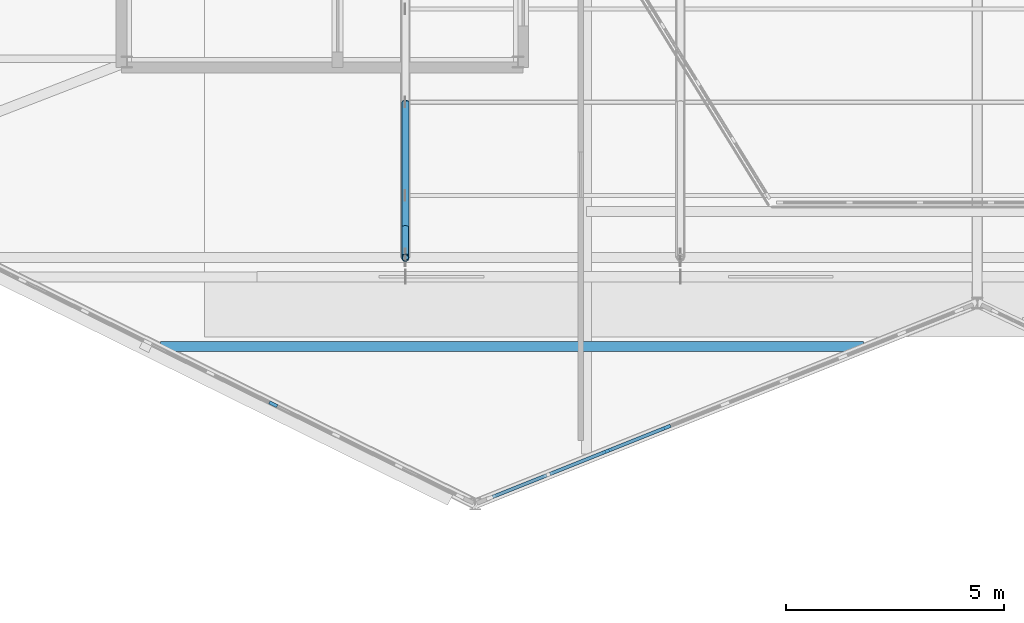
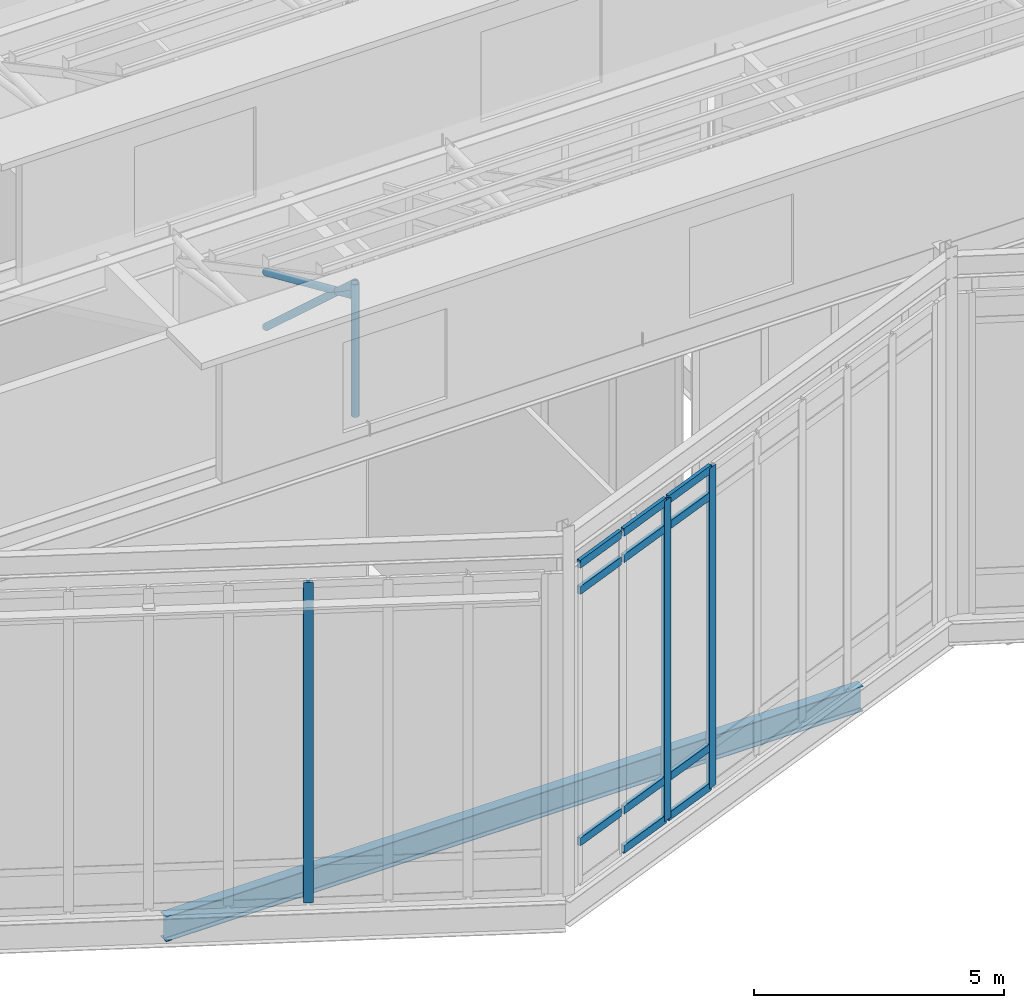
# One storey, part 11 of 66: 17 members, 1 beam, 2 elements without a shape of their own.
"""IFC4 building model written with IfcOpenShell, lengths in metres."""

from ifc_helpers import new_model, si_unit, direction, frame, origin, origin_2d, place, context, subcontext, project, spatial, rectangle, hollow_circle, i_section, extrude, material, material_profile, profile_set, type_object, element, aggregate, save


model = new_model("IFC4")

# Units and contexts
model_context = context("Model", 3, precision=1e-05, world=origin(), true_north=direction((0.0, 1.0)))
body_context = subcontext(model_context, "Body", "Model", "MODEL_VIEW")
ifc_project = project(units=[si_unit("LENGTHUNIT", "METRE"), si_unit("AREAUNIT", "SQUARE_METRE"), si_unit("VOLUMEUNIT", "CUBIC_METRE"), si_unit("PLANEANGLEUNIT", "RADIAN"), si_unit("MASSUNIT", "GRAM", prefix="KILO")], contexts=[model_context])

# Site, building, storey
site_placement = place(None, origin())
site = spatial("IfcSite", under=ifc_project, at=site_placement, CompositionType="ELEMENT")
building_placement = place(site_placement, origin())
building = spatial("IfcBuilding", under=site, at=building_placement, Name="Tameran Prism Museum", CompositionType="ELEMENT")
storey_placement = place(building_placement, frame((0.0, 0.0, 19.800048828125)))
storey = spatial("IfcBuildingStorey", under=building, at=storey_placement, Name="L04", CompositionType="ELEMENT", Elevation=19.800048828125)

# Beam
ifc_material_1 = material(Name="Steel Grade 300PLUS (300 MPa)", Category="steel")
ifc_material_profile_1 = material_profile(ifc_material_1, i_section(OverallWidth=0.22802734375, OverallDepth=0.60693359375, WebThickness=0.01123046875, FlangeThickness=0.017333984375, FilletRadius=0.013916015625, at=origin_2d()))
ifc_profile_set_1 = profile_set([ifc_material_profile_1])
beam_type = type_object("IfcBeamType", Name="BM-UB610B", PredefinedType="BEAM", material=ifc_profile_set_1)
beam_placement = place(storey_placement, frame((58.79296875, 26.39990234375, -0.503662109375), z_axis=(1.0, 0.0, 0.0), x_axis=(0.0, 1.0, 0.0)))
element("IfcBeam", 1, at=beam_placement, inside=storey, type_object=beam_type, Name="Floor Beam BM-1229", PredefinedType="BEAM", context=body_context, shape_type="SweptSolid", body=[
    extrude(i_section(OverallWidth=0.22802734375, OverallDepth=0.60693359375, WebThickness=0.01123046875, FlangeThickness=0.017333984375, FilletRadius=0.013916015625, at=origin_2d()), origin(), (0.0, 0.0, 1.0), 16.09912109375),
])

# Curtain wall, member
ifc_material_2 = material(Name="Anodised Aluminium 6063-T6 and Cyclone Solar Glass", Category="aluminium")
curtain_wall_type_1 = type_object("IfcCurtainWallType", Name="CW-FAC-1603x782", PredefinedType="USERDEFINED", material=ifc_material_2)
curtain_wall_1_placement = place(storey_placement, origin())
curtain_wall_1 = element("IfcCurtainWall", 2, at=curtain_wall_1_placement, inside=storey, type_object=curtain_wall_type_1, Name="Unitised Curtain Wall CW-157", ObjectType="UNITISED CURTAIN WALL", PredefinedType="USERDEFINED")
ifc_material_3 = material(Name="Anodised Aluminium Alloy 6063-T6", Category="aluminium")
ifc_material_profile_2 = material_profile(ifc_material_3, rectangle(XDim=0.074951171875, YDim=0.199951171875, at=origin_2d()))
ifc_profile_set_2 = profile_set([ifc_material_profile_2])
member_type_1 = type_object("IfcMemberType", Name="CW-MUL-C", PredefinedType="MULLION", material=ifc_profile_set_2)
member_1_placement = place(storey_placement, frame((61.37451171875, 25.08203125, 0.0), z_axis=(0.0, 0.0, 1.0), x_axis=(-0.44241486846, -0.896810506275, 0.0)))
member_1 = element("IfcMember", 3, at=member_1_placement, type_object=member_type_1, Name="CW-157 mullion 4", PredefinedType="MULLION", context=body_context, shape_type="SweptSolid", body=[
    extrude(rectangle(XDim=0.074951171875, YDim=0.199951171875, at=origin_2d()), origin(), (0.0, 0.0, 1.0), 7.820068359375),
])
aggregate(curtain_wall_1, [member_1])

# Curtain wall, members
ifc_material_4 = material(Name="Anodised Aluminium 6063-T6 and Cyclone Solar Glass", Category="aluminium")
curtain_wall_type_2 = type_object("IfcCurtainWallType", Name="CW-FAC-1163x782", PredefinedType="USERDEFINED", material=ifc_material_4)
curtain_wall_2_placement = place(storey_placement, origin())
curtain_wall_2 = element("IfcCurtainWall", 4, at=curtain_wall_2_placement, inside=storey, type_object=curtain_wall_type_2, Name="Unitised Curtain Wall CW-158", ObjectType="UNITISED CURTAIN WALL", PredefinedType="USERDEFINED")
ifc_material_5 = material(Name="Anodised Aluminium Alloy 6063-T6", Category="aluminium")
ifc_material_profile_3 = material_profile(ifc_material_5, rectangle(XDim=0.080078125, YDim=0.219970703125, at=origin_2d()))
ifc_profile_set_3 = profile_set([ifc_material_profile_3])
member_type_2 = type_object("IfcMemberType", Name="CW-MUL-D", PredefinedType="MULLION", material=ifc_profile_set_3)
member_2_placement = place(storey_placement, frame((70.372802734375, 24.54931640625, 0.0), z_axis=(0.0, 0.0, 1.0), x_axis=(0.371420337114, -0.928464826032, 0.0)))
member_2 = element("IfcMember", 5, at=member_2_placement, type_object=member_type_2, Name="CW-158 mullion 6", PredefinedType="MULLION", context=body_context, shape_type="SweptSolid", body=[
    extrude(rectangle(XDim=0.080078125, YDim=0.219970703125, at=origin_2d()), origin(), (0.0, 0.0, 1.0), 7.820068359375),
])
member_3_placement = place(storey_placement, frame((69.0234375, 24.009521484375, 0.0), z_axis=(0.0, 0.0, 1.0), x_axis=(0.371420337114, -0.928464826032, 0.0)))
member_3 = element("IfcMember", 6, at=member_3_placement, type_object=member_type_2, Name="CW-158 mullion 7", PredefinedType="MULLION", context=body_context, shape_type="SweptSolid", body=[
    extrude(rectangle(XDim=0.080078125, YDim=0.219970703125, at=origin_2d()), origin(), (0.0, 0.0, 1.0), 7.820068359375),
])
ifc_material_6 = material(Name="Anodised Aluminium Alloy 6063-T6", Category="aluminium")
ifc_material_profile_4 = material_profile(ifc_material_6, rectangle(XDim=0.080078125, YDim=0.195068359375, at=origin_2d()))
ifc_profile_set_4 = profile_set([ifc_material_profile_4])
member_type_3 = type_object("IfcMemberType", Name="CW-TRN-D", PredefinedType="USERDEFINED", material=ifc_profile_set_4)
member_4_placement = place(storey_placement, frame((70.335693359375, 24.534423828125, 0.0400390625), z_axis=(-0.92848895033, -0.371360026276, 0.0), x_axis=(0.371360026276, -0.92848895033, 0.0)))
member_4 = element("IfcMember", 7, at=member_4_placement, type_object=member_type_3, Name="CW-158 transom 6.1", ObjectType="TRANSOM", PredefinedType="USERDEFINED", context=body_context, shape_type="SweptSolid", body=[
    extrude(rectangle(XDim=0.080078125, YDim=0.195068359375, at=origin_2d()), origin(), (0.0, 0.0, 1.0), 1.373291015625),
])
member_5_placement = place(storey_placement, frame((70.335693359375, 24.534423828125, 1.0), z_axis=(-0.92848895033, -0.371360026276, 0.0), x_axis=(0.371360026276, -0.92848895033, 0.0)))
member_5 = element("IfcMember", 8, at=member_5_placement, type_object=member_type_3, Name="CW-158 transom 6.2", ObjectType="TRANSOM", PredefinedType="USERDEFINED", context=body_context, shape_type="SweptSolid", body=[
    extrude(rectangle(XDim=0.080078125, YDim=0.195068359375, at=origin_2d()), origin(), (0.0, 0.0, 1.0), 1.373291015625),
])
member_6_placement = place(storey_placement, frame((70.335693359375, 24.534423828125, 7.139892578125), z_axis=(-0.92848895033, -0.371360026276, 0.0), x_axis=(0.371360026276, -0.92848895033, 0.0)))
member_6 = element("IfcMember", 9, at=member_6_placement, type_object=member_type_3, Name="CW-158 transom 6.3", ObjectType="TRANSOM", PredefinedType="USERDEFINED", context=body_context, shape_type="SweptSolid", body=[
    extrude(rectangle(XDim=0.080078125, YDim=0.195068359375, at=origin_2d()), origin(), (0.0, 0.0, 1.0), 1.373291015625),
])
member_7_placement = place(storey_placement, frame((70.335693359375, 24.534423828125, 7.780029296875), z_axis=(-0.92848895033, -0.371360026276, 0.0), x_axis=(0.371360026276, -0.92848895033, 0.0)))
member_7 = element("IfcMember", 10, at=member_7_placement, type_object=member_type_3, Name="CW-158 transom 6.4", ObjectType="TRANSOM", PredefinedType="USERDEFINED", context=body_context, shape_type="SweptSolid", body=[
    extrude(rectangle(XDim=0.080078125, YDim=0.195068359375, at=origin_2d()), origin(), (0.0, 0.0, 1.0), 1.373291015625),
])
member_8_placement = place(storey_placement, frame((68.986328125, 23.99462890625, 0.0400390625), z_axis=(-0.928464428405, -0.371421331087, 0.0), x_axis=(0.371421331087, -0.928464428405, 0.0)))
member_8 = element("IfcMember", 11, at=member_8_placement, type_object=member_type_3, Name="CW-158 transom 7.1", ObjectType="TRANSOM", PredefinedType="USERDEFINED", context=body_context, shape_type="SweptSolid", body=[
    extrude(rectangle(XDim=0.080078125, YDim=0.195068359375, at=origin_2d()), origin(), (0.0, 0.0, 1.0), 1.373046875),
])
member_9_placement = place(storey_placement, frame((68.986328125, 23.99462890625, 1.0), z_axis=(-0.928464428405, -0.371421331087, 0.0), x_axis=(0.371421331087, -0.928464428405, 0.0)))
member_9 = element("IfcMember", 12, at=member_9_placement, type_object=member_type_3, Name="CW-158 transom 7.2", ObjectType="TRANSOM", PredefinedType="USERDEFINED", context=body_context, shape_type="SweptSolid", body=[
    extrude(rectangle(XDim=0.080078125, YDim=0.195068359375, at=origin_2d()), origin(), (0.0, 0.0, 1.0), 1.373046875),
])
member_10_placement = place(storey_placement, frame((68.986328125, 23.99462890625, 7.139892578125), z_axis=(-0.928464428405, -0.371421331087, 0.0), x_axis=(0.371421331087, -0.928464428405, 0.0)))
member_10 = element("IfcMember", 13, at=member_10_placement, type_object=member_type_3, Name="CW-158 transom 7.3", ObjectType="TRANSOM", PredefinedType="USERDEFINED", context=body_context, shape_type="SweptSolid", body=[
    extrude(rectangle(XDim=0.080078125, YDim=0.195068359375, at=origin_2d()), origin(), (0.0, 0.0, 1.0), 1.373046875),
])
member_11_placement = place(storey_placement, frame((68.986328125, 23.99462890625, 7.780029296875), z_axis=(-0.928464428405, -0.371421331087, 0.0), x_axis=(0.371421331087, -0.928464428405, 0.0)))
member_11 = element("IfcMember", 14, at=member_11_placement, type_object=member_type_3, Name="CW-158 transom 7.4", ObjectType="TRANSOM", PredefinedType="USERDEFINED", context=body_context, shape_type="SweptSolid", body=[
    extrude(rectangle(XDim=0.080078125, YDim=0.195068359375, at=origin_2d()), origin(), (0.0, 0.0, 1.0), 1.373046875),
])
member_12_placement = place(storey_placement, frame((67.63720703125, 23.454833984375, 1.0), z_axis=(-0.928501943961, -0.371327537439, 0.0), x_axis=(0.371327537439, -0.928501943961, 0.0)))
member_12 = element("IfcMember", 15, at=member_12_placement, type_object=member_type_3, Name="CW-158 transom 8.2", ObjectType="TRANSOM", PredefinedType="USERDEFINED", context=body_context, shape_type="SweptSolid", body=[
    extrude(rectangle(XDim=0.080078125, YDim=0.195068359375, at=origin_2d()), origin(), (0.0, 0.0, 1.0), 1.333251953125),
])
member_13_placement = place(storey_placement, frame((67.63720703125, 23.454833984375, 7.139892578125), z_axis=(-0.928501943961, -0.371327537439, 0.0), x_axis=(0.371327537439, -0.928501943961, 0.0)))
member_13 = element("IfcMember", 16, at=member_13_placement, type_object=member_type_3, Name="CW-158 transom 8.3", ObjectType="TRANSOM", PredefinedType="USERDEFINED", context=body_context, shape_type="SweptSolid", body=[
    extrude(rectangle(XDim=0.080078125, YDim=0.195068359375, at=origin_2d()), origin(), (0.0, 0.0, 1.0), 1.333251953125),
])
member_14_placement = place(storey_placement, frame((67.63720703125, 23.454833984375, 7.780029296875), z_axis=(-0.928501943961, -0.371327537439, 0.0), x_axis=(0.371327537439, -0.928501943961, 0.0)))
member_14 = element("IfcMember", 17, at=member_14_placement, type_object=member_type_3, Name="CW-158 transom 8.4", ObjectType="TRANSOM", PredefinedType="USERDEFINED", context=body_context, shape_type="SweptSolid", body=[
    extrude(rectangle(XDim=0.080078125, YDim=0.195068359375, at=origin_2d()), origin(), (0.0, 0.0, 1.0), 1.333251953125),
])
aggregate(curtain_wall_2, [member_2, member_3, member_4, member_5, member_6, member_7, member_8, member_9, member_10, member_11, member_12, member_13, member_14])

# Members
ifc_material_7 = material(Name="Steel Grade C350L0 (350 MPa)", Category="steel")
ifc_material_profile_5 = material_profile(ifc_material_7, hollow_circle(Radius=0.084228515625, WallThickness=0.007080078125, at=origin_2d()))
ifc_profile_set_5 = profile_set([ifc_material_profile_5])
member_type_4 = type_object("IfcMemberType", Name="MM-BR-CHS168", PredefinedType="BRACE", material=ifc_profile_set_5)
member_15_placement = place(storey_placement, frame((64.39990234375, 28.43994140625, 8.785888671875), z_axis=(0.0, 0.0, 1.0), x_axis=(1.0, 0.0, 0.0)))
element("IfcMember", 18, at=member_15_placement, inside=storey, type_object=member_type_4, Name="Sawtooth Brace STM-0164", PredefinedType="BRACE", context=body_context, shape_type="SweptSolid", body=[
    extrude(hollow_circle(Radius=0.084228515625, WallThickness=0.007080078125, at=origin_2d()), origin(), (0.0, 0.0, 1.0), 3.238037109375),
])
member_16_placement = place(storey_placement, frame((64.39990234375, 32.0, 8.785888671875), z_axis=(0.0, -0.739772474497, 0.672857106656), x_axis=(1.0, 0.0, 0.0)))
element("IfcMember", 19, at=member_16_placement, inside=storey, type_object=member_type_4, Name="Sawtooth Brace STM-0166", PredefinedType="BRACE", context=body_context, shape_type="SweptSolid", body=[
    extrude(hollow_circle(Radius=0.084228515625, WallThickness=0.007080078125, at=origin_2d()), origin(), (0.0, 0.0, 1.0), 4.812255859375),
])
ifc_material_8 = material(Name="Steel Grade C350L0 (350 MPa)", Category="steel")
ifc_material_profile_6 = material_profile(ifc_material_8, hollow_circle(Radius=0.084228515625, WallThickness=0.007080078125, at=origin_2d()))
ifc_profile_set_6 = profile_set([ifc_material_profile_6])
member_type_5 = type_object("IfcMemberType", Name="MM-ST-CHS168", PredefinedType="STRUT", material=ifc_profile_set_6)
member_17_placement = place(storey_placement, frame((64.39990234375, 28.43994140625, 11.703857421875), z_axis=(0.0, 0.914041454577, -0.405620782647), x_axis=(-1.0, 0.0, 0.0)))
element("IfcMember", 20, at=member_17_placement, inside=storey, type_object=member_type_5, Name="Sawtooth Strut STM-0168", PredefinedType="STRUT", context=body_context, shape_type="SweptSolid", body=[
    extrude(hollow_circle(Radius=0.084228515625, WallThickness=0.007080078125, at=origin_2d()), origin(), (0.0, 0.0, 1.0), 3.894775390625),
])

save(model, "model.ifc")
